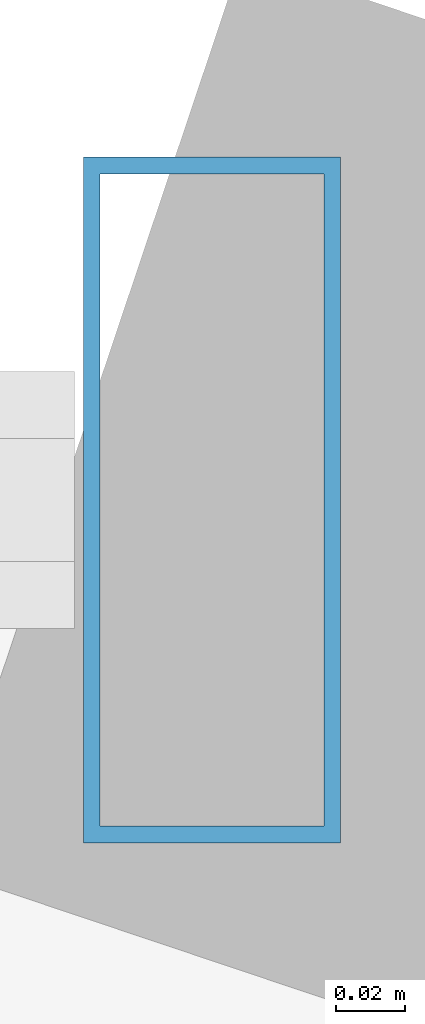
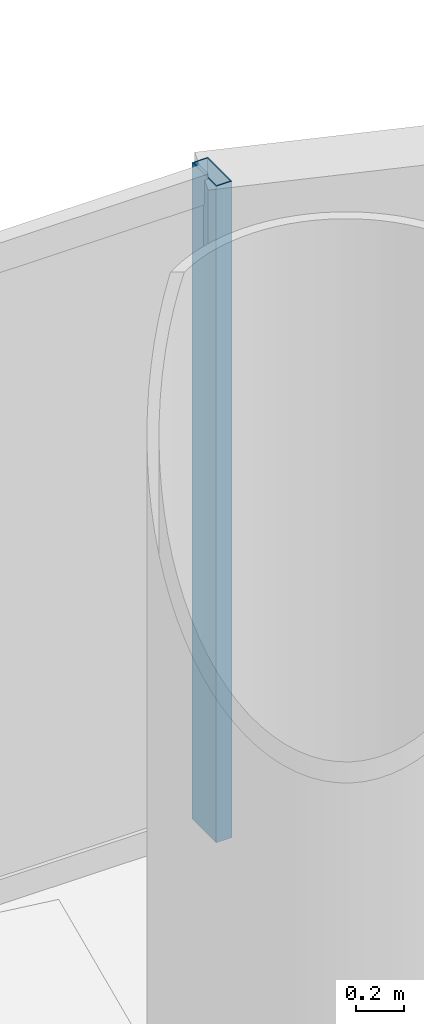
# One storey, part 19 of 29: 1 member, 1 element without a shape of its own.
"""IFC4 building model written with IfcOpenShell, lengths in metres."""

from ifc_helpers import new_model, si_unit, direction, frame, origin, origin_2d, place, context, subcontext, project, spatial, hollow_rectangle, extrude, source, transform, mapped, material, material_profile, profile_set, type_object, element, aggregate, save


model = new_model("IFC4")

# Units and contexts
model_context = context("Model", 3, precision=1e-05, world=origin(), true_north=direction((-0.2419218956, 0.970295726276)))
body_context = subcontext(model_context, "Body", "Model", "MODEL_VIEW")
ifc_project = project(units=[si_unit("LENGTHUNIT", "METRE"), si_unit("AREAUNIT", "SQUARE_METRE"), si_unit("VOLUMEUNIT", "CUBIC_METRE"), si_unit("PLANEANGLEUNIT", "RADIAN"), si_unit("MASSUNIT", "GRAM", prefix="KILO")], contexts=[model_context])

# Site, building, storey
site_placement = place(None, origin())
site = spatial("IfcSite", under=ifc_project, at=site_placement, CompositionType="ELEMENT")
building_placement = place(site_placement, origin())
building = spatial("IfcBuilding", under=site, at=building_placement, Name="Cobrevalo Terracotta Tower", CompositionType="ELEMENT")
storey_placement = place(building_placement, frame((0.0, 0.0, 52.800048828125)))
storey = spatial("IfcBuildingStorey", under=building, at=storey_placement, Name="L13", CompositionType="ELEMENT", Elevation=52.800048828125)

# Curtain wall, member
ifc_material = material(Name="Anodized aluminium", Category="aluminium")
curtain_wall_type = type_object("IfcCurtainWallType", Name="Lower-tower unitised acoustic low-E curtain wall CW-U1", PredefinedType="NOTDEFINED", material=ifc_material)
curtain_wall_placement = place(storey_placement, origin())
curtain_wall = element("IfcCurtainWall", 1, at=curtain_wall_placement, inside=storey, type_object=curtain_wall_type, Name="L13 curtain wall CW-L13-S04", PredefinedType="NOTDEFINED")
ifc_material_profile = material_profile(ifc_material, hollow_rectangle(XDim=0.074951171875, YDim=0.199951171875, WallThickness=0.0048828125, at=origin_2d()), Name="CWM 75x200")
ifc_profile_set = profile_set([ifc_material_profile], Name="Anodized aluminium")
member_type = type_object("IfcMemberType", Name="Lower/mid tower unitised mullion 75x200", PredefinedType="MULLION", material=ifc_profile_set)
shared_shape = source(origin(), body_context, "Body", "SweptSolid", [
    extrude(hollow_rectangle(XDim=0.074951171875, YDim=0.199951171875, WallThickness=0.0048828125, at=origin_2d()), origin(), (0.0, 0.0, 1.0), 3.320068359375),
])
member_placement = place(storey_placement, frame((43.61181640625, 49.819091796875, 0.0), z_axis=(0.0, 0.0, 1.0), x_axis=(-1.0, 0.0, 0.0)))
member = element("IfcMember", 2, at=member_placement, type_object=member_type, Name="CW-L13-S04 vertical mullion 01", PredefinedType="MULLION", context=body_context, shape_type="MappedRepresentation", body=[
    mapped(shared_shape, transform((0.0, 0.0, 0.0), scale=1.0)),
])
aggregate(curtain_wall, [member])

save(model, "model.ifc")
